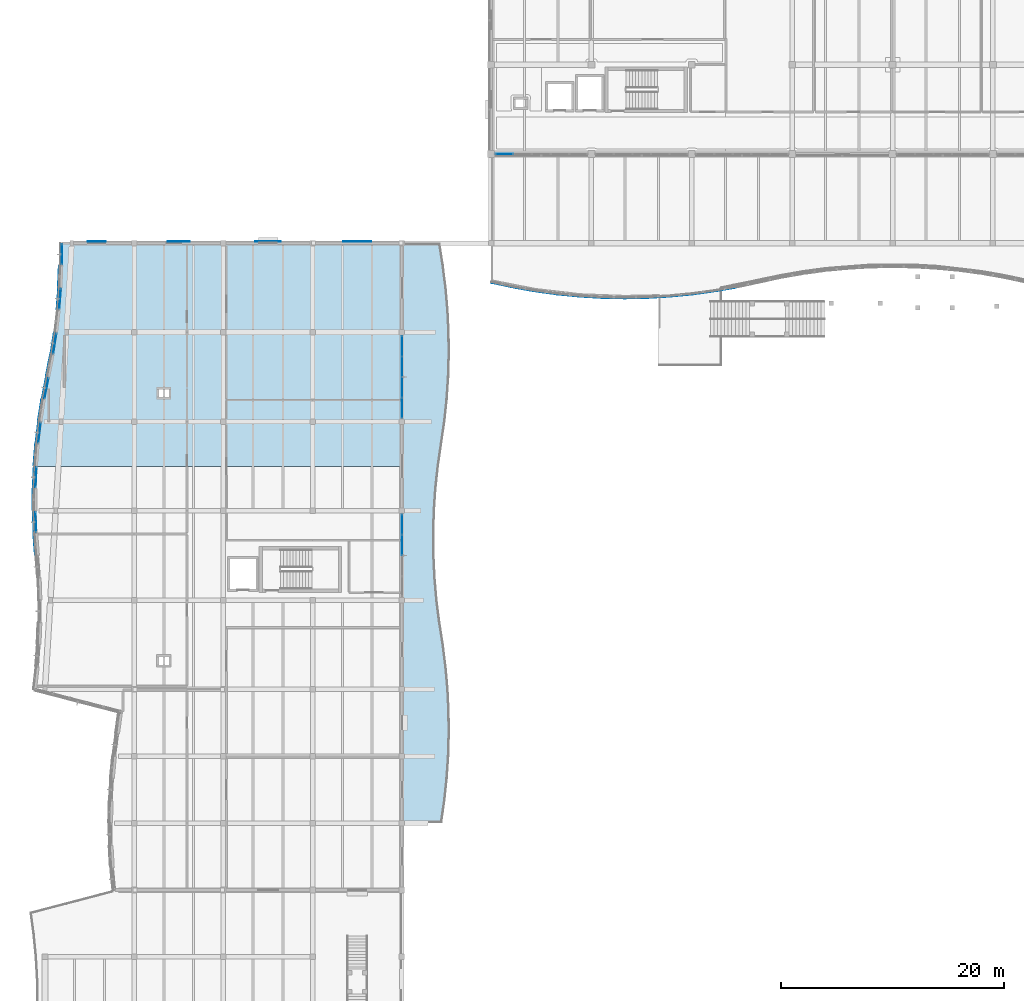
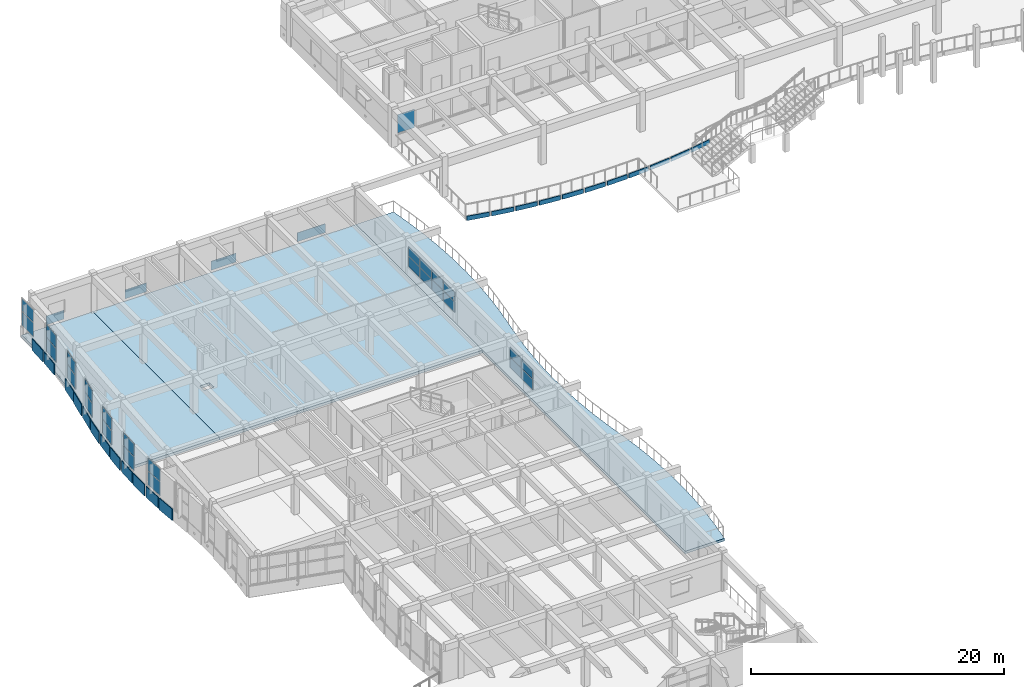
# One storey, part 47 of 89: 54 plates, 3 slabs, 10 elements without a shape of their own.
"""IFC4 building model written with IfcOpenShell, lengths in metres."""

from ifc_helpers import new_model, si_unit, direction, frame, origin, origin_2d, place, context, subcontext, project, spatial, polyline, rectangle, outline, extrude, material, layer, layer_set, type_object, element, aggregate, save


model = new_model("IFC4")

# Units and contexts
model_context = context("Model", 3, precision=1e-05, world=origin(), true_north=direction((0.0, 1.0)))
body_context = subcontext(model_context, "Body", "Model", "MODEL_VIEW")
ifc_project = project(units=[si_unit("LENGTHUNIT", "METRE"), si_unit("AREAUNIT", "SQUARE_METRE"), si_unit("VOLUMEUNIT", "CUBIC_METRE"), si_unit("PLANEANGLEUNIT", "RADIAN"), si_unit("MASSUNIT", "GRAM", prefix="KILO")], contexts=[model_context])

# Site, building, storey
site_placement = place(None, origin())
site = spatial("IfcSite", under=ifc_project, at=site_placement, CompositionType="ELEMENT")
building_placement = place(site_placement, origin())
building = spatial("IfcBuilding", under=site, at=building_placement, Name="Tonlespit Floodbar School", CompositionType="ELEMENT")
storey_placement = place(building_placement, frame((0.0, 0.0, 4.5)))
storey = spatial("IfcBuildingStorey", under=building, at=storey_placement, Name="L01", CompositionType="ELEMENT", Elevation=4.5)

# Curtain wall, plate
ifc_material_1 = material(Name="Anodised Aluminium", Category="aluminium")
ifc_layer_1 = layer(ifc_material_1, 0.159912109375)
ifc_layer_set_1 = layer_set([ifc_layer_1], Name="Anodised Aluminium")
curtain_wall_type_1 = type_object("IfcCurtainWallType", Name="CurtainWall_8300x1900", PredefinedType="NOTDEFINED", material=ifc_layer_set_1)
curtain_wall_1_placement = place(storey_placement, origin())
curtain_wall_1 = element("IfcCurtainWall", 1, at=curtain_wall_1_placement, inside=storey, type_object=curtain_wall_type_1, Name="L01 unitised curtain wall 0081", PredefinedType="NOTDEFINED")
ifc_material_2 = material(Name="Laminated Low-E Glass", Category="glass")
ifc_layer_2 = layer(ifc_material_2, 0.028076171875)
ifc_layer_set_2 = layer_set([ifc_layer_2], Name="Laminated Low-E Glass")
plate_type_1 = type_object("IfcPlateType", Name="CW_Panel_Glaz_28", PredefinedType="CURTAIN_PANEL", material=ifc_layer_set_2)
plate_1_placement = place(storey_placement, frame((45.188232421875, 104.0, 1.01513671875), z_axis=(0.0, 0.0, 1.0), x_axis=(-1.0, 0.0, 0.0)))
plate_1 = element("IfcPlate", 2, at=plate_1_placement, type_object=plate_type_1, Name="CW-06 panel 5.1", PredefinedType="CURTAIN_PANEL", context=body_context, shape_type="SweptSolid", body=[
    extrude(rectangle(XDim=1.56640625, YDim=0.028076171875, at=origin_2d()), origin(), (0.0, 0.0, 1.0), 1.764892578125),
])
aggregate(curtain_wall_1, [plate_1])

# Curtain wall, plates
ifc_layer_3 = layer(ifc_material_1, 0.159912109375)
ifc_layer_set_3 = layer_set([ifc_layer_3], Name="Anodised Aluminium")
curtain_wall_type_2 = type_object("IfcCurtainWallType", Name="CurtainWall_1950x2700", PredefinedType="NOTDEFINED", material=ifc_layer_set_3)
curtain_wall_2_placement = place(storey_placement, origin())
curtain_wall_2 = element("IfcCurtainWall", 3, at=curtain_wall_2_placement, inside=storey, type_object=curtain_wall_type_2, Name="L01 unitised curtain wall 0277", PredefinedType="NOTDEFINED")
plate_2_placement = place(storey_placement, frame((3.507080078125, 79.0, 1.01513671875), z_axis=(0.0, 0.0, 1.0), x_axis=(0.116967255837, 0.993135771716, 0.0)))
plate_2 = element("IfcPlate", 4, at=plate_2_placement, type_object=plate_type_1, Name="CW-04 panel 1.1", PredefinedType="CURTAIN_PANEL", context=body_context, shape_type="SweptSolid", body=[
    extrude(rectangle(XDim=1.803955078125, YDim=0.028076171875, at=origin_2d()), origin(), (0.0, 0.0, 1.0), 1.306396484375),
])
plate_3_placement = place(storey_placement, frame((3.507080078125, 79.0, 2.38671875), z_axis=(0.0, 0.0, 1.0), x_axis=(0.116967255837, 0.993135771716, 0.0)))
plate_3 = element("IfcPlate", 5, at=plate_3_placement, type_object=plate_type_1, Name="CW-04 panel 1.2", PredefinedType="CURTAIN_PANEL", context=body_context, shape_type="SweptSolid", body=[
    extrude(rectangle(XDim=1.803955078125, YDim=0.028076171875, at=origin_2d()), origin(), (0.0, 0.0, 1.0), 1.198486328125),
])
aggregate(curtain_wall_2, [plate_2, plate_3])

ifc_layer_4 = layer(ifc_material_1, 0.159912109375)
ifc_layer_set_4 = layer_set([ifc_layer_4], Name="Anodised Aluminium")
curtain_wall_type_3 = type_object("IfcCurtainWallType", Name="CurtainWall_1900x2700", PredefinedType="NOTDEFINED", material=ifc_layer_set_4)
curtain_wall_3_placement = place(storey_placement, origin())
curtain_wall_3 = element("IfcCurtainWall", 6, at=curtain_wall_3_placement, inside=storey, type_object=curtain_wall_type_3, Name="L01 unitised curtain wall 0281", PredefinedType="NOTDEFINED")
plate_4_placement = place(storey_placement, frame((5.5126953125, 95.0, 1.01513671875), z_axis=(0.0, 0.0, 1.0), x_axis=(0.00218749477, 0.99999760743, 0.0)))
plate_4 = element("IfcPlate", 7, at=plate_4_placement, type_object=plate_type_1, Name="CW-05 panel 1.1", PredefinedType="CURTAIN_PANEL", context=body_context, shape_type="SweptSolid", body=[
    extrude(rectangle(XDim=1.7900390625, YDim=0.028076171875, at=origin_2d()), origin(), (0.0, 0.0, 1.0), 1.306396484375),
])
plate_5_placement = place(storey_placement, frame((5.5126953125, 95.0, 2.38671875), z_axis=(0.0, 0.0, 1.0), x_axis=(0.00218749477, 0.99999760743, 0.0)))
plate_5 = element("IfcPlate", 8, at=plate_5_placement, type_object=plate_type_1, Name="CW-05 panel 1.2", PredefinedType="CURTAIN_PANEL", context=body_context, shape_type="SweptSolid", body=[
    extrude(rectangle(XDim=1.7900390625, YDim=0.028076171875, at=origin_2d()), origin(), (0.0, 0.0, 1.0), 1.198486328125),
])
aggregate(curtain_wall_3, [plate_4, plate_5])

curtain_wall_4_placement = place(storey_placement, origin())
curtain_wall_4 = element("IfcCurtainWall", 9, at=curtain_wall_4_placement, inside=storey, type_object=curtain_wall_type_2, Name="L01 unitised curtain wall 0278", PredefinedType="NOTDEFINED")
ifc_layer_5 = layer(ifc_material_2, 0.031982421875)
ifc_layer_set_5 = layer_set([ifc_layer_5], Name="Laminated Low-E Glass")
plate_type_2 = type_object("IfcPlateType", Name="CW_Panel_Glaz_32", PredefinedType="CURTAIN_PANEL", material=ifc_layer_set_5)
plate_6_placement = place(storey_placement, frame((4.134033203125, 83.0, 1.01513671875), z_axis=(0.0, 0.0, 1.0), x_axis=(0.192244726092, 0.981347015734, 0.0)))
plate_6 = element("IfcPlate", 10, at=plate_6_placement, type_object=plate_type_2, Name="CW-04 panel 1.1", PredefinedType="CURTAIN_PANEL", context=body_context, shape_type="SweptSolid", body=[
    extrude(rectangle(XDim=1.827880859375, YDim=0.031982421875, at=origin_2d()), origin(), (0.0, 0.0, 1.0), 1.306396484375),
])
plate_7_placement = place(storey_placement, frame((4.134033203125, 83.0, 2.38671875), z_axis=(0.0, 0.0, 1.0), x_axis=(0.192244726092, 0.981347015734, 0.0)))
plate_7 = element("IfcPlate", 11, at=plate_7_placement, type_object=plate_type_2, Name="CW-04 panel 1.2", PredefinedType="CURTAIN_PANEL", context=body_context, shape_type="SweptSolid", body=[
    extrude(rectangle(XDim=1.827880859375, YDim=0.031982421875, at=origin_2d()), origin(), (0.0, 0.0, 1.0), 1.198486328125),
])
aggregate(curtain_wall_4, [plate_6, plate_7])

ifc_layer_6 = layer(ifc_material_1, 0.159912109375)
ifc_layer_set_6 = layer_set([ifc_layer_6], Name="Anodised Aluminium")
curtain_wall_type_4 = type_object("IfcCurtainWallType", Name="CurtainWall_7400x2050", PredefinedType="NOTDEFINED", material=ifc_layer_set_6)
curtain_wall_5_placement = place(storey_placement, origin())
curtain_wall_5 = element("IfcCurtainWall", 12, at=curtain_wall_5_placement, inside=storey, type_object=curtain_wall_type_4, Name="L01 unitised curtain wall 0282", PredefinedType="NOTDEFINED")
plate_8_placement = place(storey_placement, frame((36.0, 86.766357421875, 1.01513671875), z_axis=(0.0, 0.0, 1.0), x_axis=(0.0, -1.0, 0.0)))
plate_8 = element("IfcPlate", 13, at=plate_8_placement, type_object=plate_type_2, Name="CW-36 panel 1.1", PredefinedType="CURTAIN_PANEL", context=body_context, shape_type="SweptSolid", body=[
    extrude(rectangle(XDim=1.757568359375, YDim=0.031982421875, at=origin_2d()), origin(), (0.0, 0.0, 1.0), 0.968505859375),
])
plate_9_placement = place(storey_placement, frame((36.0, 86.766357421875, 2.04833984375), z_axis=(0.0, 0.0, 1.0), x_axis=(0.0, -1.0, 0.0)))
plate_9 = element("IfcPlate", 14, at=plate_9_placement, type_object=plate_type_2, Name="CW-36 panel 1.2", PredefinedType="CURTAIN_PANEL", context=body_context, shape_type="SweptSolid", body=[
    extrude(rectangle(XDim=1.757568359375, YDim=0.031982421875, at=origin_2d()), origin(), (0.0, 0.0, 1.0), 0.886474609375),
])
plate_10_placement = place(storey_placement, frame((36.0, 84.927490234375, 1.01513671875), z_axis=(0.0, 0.0, 1.0), x_axis=(0.0, -1.0, 0.0)))
plate_10 = element("IfcPlate", 15, at=plate_10_placement, type_object=plate_type_2, Name="CW-36 panel 2.1", PredefinedType="CURTAIN_PANEL", context=body_context, shape_type="SweptSolid", body=[
    extrude(rectangle(XDim=1.7900390625, YDim=0.031982421875, at=origin_2d()), origin(), (0.0, 0.0, 1.0), 0.968505859375),
])
plate_11_placement = place(storey_placement, frame((36.0, 84.927490234375, 2.04833984375), z_axis=(0.0, 0.0, 1.0), x_axis=(0.0, -1.0, 0.0)))
plate_11 = element("IfcPlate", 16, at=plate_11_placement, type_object=plate_type_2, Name="CW-36 panel 2.2", PredefinedType="CURTAIN_PANEL", context=body_context, shape_type="SweptSolid", body=[
    extrude(rectangle(XDim=1.7900390625, YDim=0.031982421875, at=origin_2d()), origin(), (0.0, 0.0, 1.0), 0.886474609375),
])
plate_12_placement = place(storey_placement, frame((36.0, 83.072509765625, 1.01513671875), z_axis=(0.0, 0.0, 1.0), x_axis=(0.0, -1.0, 0.0)))
plate_12 = element("IfcPlate", 17, at=plate_12_placement, type_object=plate_type_2, Name="CW-36 panel 3.1", PredefinedType="CURTAIN_PANEL", context=body_context, shape_type="SweptSolid", body=[
    extrude(rectangle(XDim=1.7900390625, YDim=0.031982421875, at=origin_2d()), origin(), (0.0, 0.0, 1.0), 0.968505859375),
])
plate_13_placement = place(storey_placement, frame((36.0, 83.072509765625, 2.04833984375), z_axis=(0.0, 0.0, 1.0), x_axis=(0.0, -1.0, 0.0)))
plate_13 = element("IfcPlate", 18, at=plate_13_placement, type_object=plate_type_2, Name="CW-36 panel 3.2", PredefinedType="CURTAIN_PANEL", context=body_context, shape_type="SweptSolid", body=[
    extrude(rectangle(XDim=1.7900390625, YDim=0.031982421875, at=origin_2d()), origin(), (0.0, 0.0, 1.0), 0.886474609375),
])
plate_14_placement = place(storey_placement, frame((36.0, 81.233642578125, 1.01513671875), z_axis=(0.0, 0.0, 1.0), x_axis=(0.0, -1.0, 0.0)))
plate_14 = element("IfcPlate", 19, at=plate_14_placement, type_object=plate_type_2, Name="CW-36 panel 4.1", PredefinedType="CURTAIN_PANEL", context=body_context, shape_type="SweptSolid", body=[
    extrude(rectangle(XDim=1.757568359375, YDim=0.031982421875, at=origin_2d()), origin(), (0.0, 0.0, 1.0), 0.968505859375),
])
plate_15_placement = place(storey_placement, frame((36.0, 81.233642578125, 2.04833984375), z_axis=(0.0, 0.0, 1.0), x_axis=(0.0, -1.0, 0.0)))
plate_15 = element("IfcPlate", 20, at=plate_15_placement, type_object=plate_type_2, Name="CW-36 panel 4.2", PredefinedType="CURTAIN_PANEL", context=body_context, shape_type="SweptSolid", body=[
    extrude(rectangle(XDim=1.757568359375, YDim=0.031982421875, at=origin_2d()), origin(), (0.0, 0.0, 1.0), 0.886474609375),
])
aggregate(curtain_wall_5, [plate_8, plate_9, plate_10, plate_11, plate_12, plate_13, plate_14, plate_15])

curtain_wall_6_placement = place(storey_placement, origin())
curtain_wall_6 = element("IfcCurtainWall", 21, at=curtain_wall_6_placement, inside=storey, type_object=curtain_wall_type_3, Name="L01 unitised curtain wall 0275", PredefinedType="NOTDEFINED")
ifc_layer_7 = layer(ifc_material_2, 0.035888671875)
ifc_layer_set_7 = layer_set([ifc_layer_7], Name="Laminated Low-E Glass")
plate_type_3 = type_object("IfcPlateType", Name="CW_Panel_Glaz_36", PredefinedType="CURTAIN_PANEL", material=ifc_layer_set_7)
plate_16_placement = place(storey_placement, frame((3.181640625, 71.0, 1.01513671875), z_axis=(0.0, 0.0, 1.0), x_axis=(-0.036538085803, 0.999332261205, 0.0)))
plate_16 = element("IfcPlate", 22, at=plate_16_placement, type_object=plate_type_3, Name="CW-05 panel 1.1", PredefinedType="CURTAIN_PANEL", context=body_context, shape_type="SweptSolid", body=[
    extrude(rectangle(XDim=1.791259765625, YDim=0.035888671875, at=origin_2d()), origin(), (0.0, 0.0, 1.0), 1.306396484375),
])
plate_17_placement = place(storey_placement, frame((3.181640625, 71.0, 2.38671875), z_axis=(0.0, 0.0, 1.0), x_axis=(-0.036538085803, 0.999332261205, 0.0)))
plate_17 = element("IfcPlate", 23, at=plate_17_placement, type_object=plate_type_3, Name="CW-05 panel 1.2", PredefinedType="CURTAIN_PANEL", context=body_context, shape_type="SweptSolid", body=[
    extrude(rectangle(XDim=1.791259765625, YDim=0.035888671875, at=origin_2d()), origin(), (0.0, 0.0, 1.0), 1.198486328125),
])
aggregate(curtain_wall_6, [plate_16, plate_17])

curtain_wall_7_placement = place(storey_placement, origin())
curtain_wall_7 = element("IfcCurtainWall", 24, at=curtain_wall_7_placement, inside=storey, type_object=curtain_wall_type_2, Name="L01 unitised curtain wall 0279", PredefinedType="NOTDEFINED")
plate_18_placement = place(storey_placement, frame((4.87841796875, 87.0, 1.01513671875), z_axis=(0.0, 0.0, 1.0), x_axis=(0.154700059367, 0.987961482869, 0.0)))
plate_18 = element("IfcPlate", 25, at=plate_18_placement, type_object=plate_type_3, Name="CW-04 panel 1.1", PredefinedType="CURTAIN_PANEL", context=body_context, shape_type="SweptSolid", body=[
    extrude(rectangle(XDim=1.814453125, YDim=0.035888671875, at=origin_2d()), origin(), (0.0, 0.0, 1.0), 1.306396484375),
])
plate_19_placement = place(storey_placement, frame((4.87841796875, 87.0, 2.38671875), z_axis=(0.0, 0.0, 1.0), x_axis=(0.154700059367, 0.987961482869, 0.0)))
plate_19 = element("IfcPlate", 26, at=plate_19_placement, type_object=plate_type_3, Name="CW-04 panel 1.2", PredefinedType="CURTAIN_PANEL", context=body_context, shape_type="SweptSolid", body=[
    extrude(rectangle(XDim=1.814453125, YDim=0.035888671875, at=origin_2d()), origin(), (0.0, 0.0, 1.0), 1.198486328125),
])
aggregate(curtain_wall_7, [plate_18, plate_19])

curtain_wall_8_placement = place(storey_placement, origin())
curtain_wall_8 = element("IfcCurtainWall", 27, at=curtain_wall_8_placement, inside=storey, type_object=curtain_wall_type_4, Name="L01 unitised curtain wall 0283", PredefinedType="NOTDEFINED")
plate_20_placement = place(storey_placement, frame((36.0, 70.766357421875, 1.01513671875), z_axis=(0.0, 0.0, 1.0), x_axis=(0.0, -1.0, 0.0)))
plate_20 = element("IfcPlate", 28, at=plate_20_placement, type_object=plate_type_3, Name="CW-36 panel 1.1", PredefinedType="CURTAIN_PANEL", context=body_context, shape_type="SweptSolid", body=[
    extrude(rectangle(XDim=1.757568359375, YDim=0.035888671875, at=origin_2d()), origin(), (0.0, 0.0, 1.0), 0.968505859375),
])
plate_21_placement = place(storey_placement, frame((36.0, 70.766357421875, 2.04833984375), z_axis=(0.0, 0.0, 1.0), x_axis=(0.0, -1.0, 0.0)))
plate_21 = element("IfcPlate", 29, at=plate_21_placement, type_object=plate_type_3, Name="CW-36 panel 1.2", PredefinedType="CURTAIN_PANEL", context=body_context, shape_type="SweptSolid", body=[
    extrude(rectangle(XDim=1.757568359375, YDim=0.035888671875, at=origin_2d()), origin(), (0.0, 0.0, 1.0), 0.886474609375),
])
plate_22_placement = place(storey_placement, frame((36.0, 68.927490234375, 1.01513671875), z_axis=(0.0, 0.0, 1.0), x_axis=(0.0, -1.0, 0.0)))
plate_22 = element("IfcPlate", 30, at=plate_22_placement, type_object=plate_type_3, Name="CW-36 panel 2.1", PredefinedType="CURTAIN_PANEL", context=body_context, shape_type="SweptSolid", body=[
    extrude(rectangle(XDim=1.7900390625, YDim=0.035888671875, at=origin_2d()), origin(), (0.0, 0.0, 1.0), 0.968505859375),
])
plate_23_placement = place(storey_placement, frame((36.0, 68.927490234375, 2.04833984375), z_axis=(0.0, 0.0, 1.0), x_axis=(0.0, -1.0, 0.0)))
plate_23 = element("IfcPlate", 31, at=plate_23_placement, type_object=plate_type_3, Name="CW-36 panel 2.2", PredefinedType="CURTAIN_PANEL", context=body_context, shape_type="SweptSolid", body=[
    extrude(rectangle(XDim=1.7900390625, YDim=0.035888671875, at=origin_2d()), origin(), (0.0, 0.0, 1.0), 0.886474609375),
])
aggregate(curtain_wall_8, [plate_20, plate_21, plate_22, plate_23])

curtain_wall_9_placement = place(storey_placement, origin())
curtain_wall_9 = element("IfcCurtainWall", 32, at=curtain_wall_9_placement, inside=storey, type_object=curtain_wall_type_3, Name="L01 unitised curtain wall 0276", PredefinedType="NOTDEFINED")
ifc_layer_8 = layer(ifc_material_2, 0.0419921875)
ifc_layer_set_8 = layer_set([ifc_layer_8], Name="Laminated Low-E Glass")
plate_type_4 = type_object("IfcPlateType", Name="CW_Panel_Glaz_42", PredefinedType="CURTAIN_PANEL", material=ifc_layer_set_8)
plate_24_placement = place(storey_placement, frame((3.190185546875, 75.0, 1.01513671875), z_axis=(0.0, 0.0, 1.0), x_axis=(0.040747380387, 0.999169480615, 0.0)))
plate_24 = element("IfcPlate", 33, at=plate_24_placement, type_object=plate_type_4, Name="CW-05 panel 1.1", PredefinedType="CURTAIN_PANEL", context=body_context, shape_type="SweptSolid", body=[
    extrude(rectangle(XDim=1.79150390625, YDim=0.0419921875, at=origin_2d()), origin(), (0.0, 0.0, 1.0), 1.306396484375),
])
plate_25_placement = place(storey_placement, frame((3.190185546875, 75.0, 2.38671875), z_axis=(0.0, 0.0, 1.0), x_axis=(0.040747380387, 0.999169480615, 0.0)))
plate_25 = element("IfcPlate", 34, at=plate_25_placement, type_object=plate_type_4, Name="CW-05 panel 1.2", PredefinedType="CURTAIN_PANEL", context=body_context, shape_type="SweptSolid", body=[
    extrude(rectangle(XDim=1.79150390625, YDim=0.0419921875, at=origin_2d()), origin(), (0.0, 0.0, 1.0), 1.198486328125),
])
aggregate(curtain_wall_9, [plate_24, plate_25])

curtain_wall_10_placement = place(storey_placement, origin())
curtain_wall_10 = element("IfcCurtainWall", 35, at=curtain_wall_10_placement, inside=storey, type_object=curtain_wall_type_2, Name="L01 unitised curtain wall 0280", PredefinedType="NOTDEFINED")
plate_26_placement = place(storey_placement, frame((5.349853515625, 91.0, 1.01513671875), z_axis=(0.0, 0.0, 1.0), x_axis=(0.078963166836, 0.996877534245, 0.0)))
plate_26 = element("IfcPlate", 36, at=plate_26_placement, type_object=plate_type_4, Name="CW-04 panel 1.1", PredefinedType="CURTAIN_PANEL", context=body_context, shape_type="SweptSolid", body=[
    extrude(rectangle(XDim=1.796142578125, YDim=0.0419921875, at=origin_2d()), origin(), (0.0, 0.0, 1.0), 1.306396484375),
])
plate_27_placement = place(storey_placement, frame((5.349853515625, 91.0, 2.38671875), z_axis=(0.0, 0.0, 1.0), x_axis=(0.078963166836, 0.996877534245, 0.0)))
plate_27 = element("IfcPlate", 37, at=plate_27_placement, type_object=plate_type_4, Name="CW-04 panel 1.2", PredefinedType="CURTAIN_PANEL", context=body_context, shape_type="SweptSolid", body=[
    extrude(rectangle(XDim=1.796142578125, YDim=0.0419921875, at=origin_2d()), origin(), (0.0, 0.0, 1.0), 1.198486328125),
])
aggregate(curtain_wall_10, [plate_26, plate_27])

# Plates
ifc_layer_9 = layer(ifc_material_1, 0.0400390625)
ifc_layer_set_9 = layer_set([ifc_layer_9], Name="Anodised Aluminium")
plate_type_5 = type_object("IfcPlateType", Name="FacadeCassette_05", PredefinedType="SHEET", material=ifc_layer_set_9)
plate_28_placement = place(storey_placement, frame((8.632568359375, 96.137939453125, 0.094970703125), z_axis=(0.0, 0.0, 1.0), x_axis=(1.0, 0.0, 0.0)))
element("IfcPlate", 38, at=plate_28_placement, inside=storey, type_object=plate_type_5, Name="L01 folded rainscreen cassette 005", PredefinedType="SHEET", context=body_context, shape_type="SweptSolid", body=[
    extrude(rectangle(XDim=1.60009765625, YDim=0.0400390625, at=origin_2d()), origin(), (0.0, 0.0, 1.0), 0.85009765625),
])
ifc_material_3 = material(Name="Terracotta Anodised Aluminium", Category="masonry")
ifc_layer_10 = layer(ifc_material_3, 0.0400390625)
ifc_layer_set_10 = layer_set([ifc_layer_10], Name="Terracotta Anodised Aluminium")
plate_type_6 = type_object("IfcPlateType", Name="FacadeCassette_06", PredefinedType="SHEET", material=ifc_layer_set_10)
plate_29_placement = place(storey_placement, frame((16.0, 96.137939453125, 0.094970703125), z_axis=(0.0, 0.0, 1.0), x_axis=(1.0, 0.0, 0.0)))
element("IfcPlate", 39, at=plate_29_placement, inside=storey, type_object=plate_type_6, Name="L01 folded rainscreen cassette 006", PredefinedType="SHEET", context=body_context, shape_type="SweptSolid", body=[
    extrude(rectangle(XDim=1.949951171875, YDim=0.0400390625, at=origin_2d()), origin(), (0.0, 0.0, 1.0), 0.85009765625),
])
ifc_layer_11 = layer(ifc_material_1, 0.054931640625)
ifc_layer_set_11 = layer_set([ifc_layer_11], Name="Anodised Aluminium")
plate_type_7 = type_object("IfcPlateType", Name="FacadeCassette_07", PredefinedType="SHEET", material=ifc_layer_set_11)
plate_30_placement = place(storey_placement, frame((24.0, 96.1455078125, 0.094970703125), z_axis=(0.0, 0.0, 1.0), x_axis=(1.0, 0.0, 0.0)))
element("IfcPlate", 40, at=plate_30_placement, inside=storey, type_object=plate_type_7, Name="L01 folded rainscreen cassette 007", PredefinedType="SHEET", context=body_context, shape_type="SweptSolid", body=[
    extrude(rectangle(XDim=2.25, YDim=0.054931640625, at=origin_2d()), origin(), (0.0, 0.0, 1.0), 0.85009765625),
])
ifc_layer_12 = layer(ifc_material_3, 0.054931640625)
ifc_layer_set_12 = layer_set([ifc_layer_12], Name="Terracotta Anodised Aluminium")
plate_type_8 = type_object("IfcPlateType", Name="FacadeCassette_08", PredefinedType="SHEET", material=ifc_layer_set_12)
plate_31_placement = place(storey_placement, frame((32.0, 96.1455078125, 0.094970703125), z_axis=(0.0, 0.0, 1.0), x_axis=(1.0, 0.0, 0.0)))
element("IfcPlate", 41, at=plate_31_placement, inside=storey, type_object=plate_type_8, Name="L01 folded rainscreen cassette 008", PredefinedType="SHEET", context=body_context, shape_type="SweptSolid", body=[
    extrude(rectangle(XDim=2.550048828125, YDim=0.054931640625, at=origin_2d()), origin(), (0.0, 0.0, 1.0), 0.85009765625),
])
ifc_material_4 = material(Name="White Architectural Aluminium", Category="aluminium")
ifc_layer_13 = layer(ifc_material_4, 0.06494140625)
ifc_layer_set_13 = layer_set([ifc_layer_13], Name="White Architectural Aluminium")
plate_type_9 = type_object("IfcPlateType", Name="FacadeRibbon_White_65", PredefinedType="SHEET", material=ifc_layer_set_13)
plate_32_placement = place(storey_placement, frame((45.0, 92.261474609375, -0.300048828125), z_axis=(0.0, 0.0, 1.0), x_axis=(0.977356843161, -0.21159773422, 0.0)))
element("IfcPlate", 42, at=plate_32_placement, inside=storey, type_object=plate_type_9, Name="L01 flowing white street spandrel ribbon 0095", PredefinedType="SHEET", context=body_context, shape_type="SweptSolid", body=[
    extrude(rectangle(XDim=1.88623046875, YDim=0.06494140625, at=origin_2d()), origin(), (0.0, 0.0, 1.0), 0.419921875),
])
plate_33_placement = place(storey_placement, frame((47.0, 91.869384765625, -0.300048828125), z_axis=(0.0, 0.0, 1.0), x_axis=(0.984904884962, -0.17309641122, 0.0)))
element("IfcPlate", 43, at=plate_33_placement, inside=storey, type_object=plate_type_9, Name="L01 flowing white street spandrel ribbon 0096", PredefinedType="SHEET", context=body_context, shape_type="SweptSolid", body=[
    extrude(rectangle(XDim=1.87060546875, YDim=0.06494140625, at=origin_2d()), origin(), (0.0, 0.0, 1.0), 0.419921875),
])
plate_34_placement = place(storey_placement, frame((49.0, 91.5576171875, -0.300048828125), z_axis=(0.0, 0.0, 1.0), x_axis=(0.990898113281, -0.13461400037, 0.0)))
element("IfcPlate", 44, at=plate_34_placement, inside=storey, type_object=plate_type_9, Name="L01 flowing white street spandrel ribbon 0097", PredefinedType="SHEET", context=body_context, shape_type="SweptSolid", body=[
    extrude(rectangle(XDim=1.8583984375, YDim=0.06494140625, at=origin_2d()), origin(), (0.0, 0.0, 1.0), 0.419921875),
])
plate_35_placement = place(storey_placement, frame((51.0, 91.3251953125, -0.300048828125), z_axis=(0.0, 0.0, 1.0), x_axis=(0.995361841764, -0.096201891669, 0.0)))
element("IfcPlate", 45, at=plate_35_placement, inside=storey, type_object=plate_type_9, Name="L01 flowing white street spandrel ribbon 0098", PredefinedType="SHEET", context=body_context, shape_type="SweptSolid", body=[
    extrude(rectangle(XDim=1.849365234375, YDim=0.06494140625, at=origin_2d()), origin(), (0.0, 0.0, 1.0), 0.419921875),
])
plate_36_placement = place(storey_placement, frame((53.0, 91.170654296875, -0.300048828125), z_axis=(0.0, 0.0, 1.0), x_axis=(0.998333769428, -0.057703421212, 0.0)))
element("IfcPlate", 46, at=plate_36_placement, inside=storey, type_object=plate_type_9, Name="L01 flowing white street spandrel ribbon 0099", PredefinedType="SHEET", context=body_context, shape_type="SweptSolid", body=[
    extrude(rectangle(XDim=1.84326171875, YDim=0.06494140625, at=origin_2d()), origin(), (0.0, 0.0, 1.0), 0.419921875),
])
for number, where, z_axis, x_axis, name in (
    (47, (55.0, 91.093505859375, -0.300048828125), (0.0, 0.0, 1.0), (0.999814772764, -0.01924630259, 0.0), "L01 flowing white street spandrel ribbon 0100"),
    (48, (57.0, 91.093505859375, -0.300048828125), (0.0, 0.0, 1.0), (0.999814772764, 0.01924630259, 0.0), "L01 flowing white street spandrel ribbon 0101"),
):
    element("IfcPlate", number, at=place(storey_placement, frame(where, z_axis=z_axis, x_axis=x_axis)), inside=storey, type_object=plate_type_9, Name=name, PredefinedType="SHEET", context=body_context, shape_type="SweptSolid", body=[
        extrude(rectangle(XDim=1.84033203125, YDim=0.06494140625, at=origin_2d()), origin(), (0.0, 0.0, 1.0), 0.419921875),
    ])
plate_37_placement = place(storey_placement, frame((59.0, 91.170654296875, -0.300048828125), z_axis=(0.0, 0.0, 1.0), x_axis=(0.998333769428, 0.057703421212, 0.0)))
element("IfcPlate", 49, at=plate_37_placement, inside=storey, type_object=plate_type_9, Name="L01 flowing white street spandrel ribbon 0102", PredefinedType="SHEET", context=body_context, shape_type="SweptSolid", body=[
    extrude(rectangle(XDim=1.84326171875, YDim=0.06494140625, at=origin_2d()), origin(), (0.0, 0.0, 1.0), 0.419921875),
])
plate_38_placement = place(storey_placement, frame((61.0, 91.3251953125, -0.300048828125), z_axis=(0.0, 0.0, 1.0), x_axis=(0.995361841764, 0.096201891669, 0.0)))
element("IfcPlate", 50, at=plate_38_placement, inside=storey, type_object=plate_type_9, Name="L01 flowing white street spandrel ribbon 0103", PredefinedType="SHEET", context=body_context, shape_type="SweptSolid", body=[
    extrude(rectangle(XDim=1.849365234375, YDim=0.06494140625, at=origin_2d()), origin(), (0.0, 0.0, 1.0), 0.419921875),
])
plate_39_placement = place(storey_placement, frame((63.0, 91.5576171875, -0.300048828125), z_axis=(0.0, 0.0, 1.0), x_axis=(0.990898113281, 0.13461400037, 0.0)))
element("IfcPlate", 51, at=plate_39_placement, inside=storey, type_object=plate_type_9, Name="L01 flowing white street spandrel ribbon 0104", PredefinedType="SHEET", context=body_context, shape_type="SweptSolid", body=[
    extrude(rectangle(XDim=1.8583984375, YDim=0.06494140625, at=origin_2d()), origin(), (0.0, 0.0, 1.0), 0.419921875),
])
plate_40_placement = place(storey_placement, frame((65.0, 91.869384765625, -0.300048828125), z_axis=(0.0, 0.0, 1.0), x_axis=(0.984904884962, 0.17309641122, 0.0)))
element("IfcPlate", 52, at=plate_40_placement, inside=storey, type_object=plate_type_9, Name="L01 flowing white street spandrel ribbon 0105", PredefinedType="SHEET", context=body_context, shape_type="SweptSolid", body=[
    extrude(rectangle(XDim=1.87060546875, YDim=0.06494140625, at=origin_2d()), origin(), (0.0, 0.0, 1.0), 0.419921875),
])
plate_41_placement = place(storey_placement, frame((3.082763671875, 68.98388671875, -0.1201171875), z_axis=(0.0, 0.0, 1.0), x_axis=(-0.075681836348, 0.997132017161, 0.0)))
element("IfcPlate", 53, at=plate_41_placement, inside=storey, type_object=plate_type_9, Name="L01 flowing white street spandrel ribbon 0529", PredefinedType="SHEET", context=body_context, shape_type="SweptSolid", body=[
    extrude(rectangle(XDim=1.845703125, YDim=0.06494140625, at=origin_2d()), origin(), (0.0, 0.0, 1.0), 1.1201171875),
])
plate_42_placement = place(storey_placement, frame((2.999755859375, 70.993408203125, -0.1201171875), z_axis=(0.0, 0.0, 1.0), x_axis=(-0.036575686496, 0.999330885722, 0.0)))
element("IfcPlate", 54, at=plate_42_placement, inside=storey, type_object=plate_type_9, Name="L01 flowing white street spandrel ribbon 0530", PredefinedType="SHEET", context=body_context, shape_type="SweptSolid", body=[
    extrude(rectangle(XDim=1.84130859375, YDim=0.06494140625, at=origin_2d()), origin(), (0.0, 0.0, 1.0), 1.070068359375),
])
plate_43_placement = place(storey_placement, frame((2.935302734375, 73.00048828125, -0.1201171875), z_axis=(0.0, 0.0, 1.0), x_axis=(0.00220085841, 0.999997578108, 0.0)))
element("IfcPlate", 55, at=plate_43_placement, inside=storey, type_object=plate_type_9, Name="L01 flowing white street spandrel ribbon 0531", PredefinedType="SHEET", context=body_context, shape_type="SweptSolid", body=[
    extrude(rectangle(XDim=1.840087890625, YDim=0.06494140625, at=origin_2d()), origin(), (0.0, 0.0, 1.0), 1.1201171875),
])
plate_44_placement = place(storey_placement, frame((3.00830078125, 75.00732421875, -0.1201171875), z_axis=(0.0, 0.0, 1.0), x_axis=(0.040715999914, 0.999170759856, 0.0)))
element("IfcPlate", 56, at=plate_44_placement, inside=storey, type_object=plate_type_9, Name="L01 flowing white street spandrel ribbon 0532", PredefinedType="SHEET", context=body_context, shape_type="SweptSolid", body=[
    extrude(rectangle(XDim=1.841796875, YDim=0.06494140625, at=origin_2d()), origin(), (0.0, 0.0, 1.0), 1.070068359375),
])
plate_45_placement = place(storey_placement, frame((3.098876953125, 77.0166015625, -0.1201171875), z_axis=(0.0, 0.0, 1.0), x_axis=(0.079001948152, 0.996874461599, 0.0)))
element("IfcPlate", 57, at=plate_45_placement, inside=storey, type_object=plate_type_9, Name="L01 flowing white street spandrel ribbon 0533", PredefinedType="SHEET", context=body_context, shape_type="SweptSolid", body=[
    extrude(rectangle(XDim=1.84619140625, YDim=0.06494140625, at=origin_2d()), origin(), (0.0, 0.0, 1.0), 1.1201171875),
])
plate_46_placement = place(storey_placement, frame((3.326416015625, 79.021240234375, -0.1201171875), z_axis=(0.0, 0.0, 1.0), x_axis=(0.116991411823, 0.99313292643, 0.0)))
element("IfcPlate", 58, at=plate_46_placement, inside=storey, type_object=plate_type_9, Name="L01 flowing white street spandrel ribbon 0534", PredefinedType="SHEET", context=body_context, shape_type="SweptSolid", body=[
    extrude(rectangle(XDim=1.853759765625, YDim=0.06494140625, at=origin_2d()), origin(), (0.0, 0.0, 1.0), 1.070068359375),
])
plate_47_placement = place(storey_placement, frame((3.572265625, 81.03271484375, -0.1201171875), z_axis=(0.0, 0.0, 1.0), x_axis=(0.154713834929, 0.987959325722, 0.0)))
element("IfcPlate", 59, at=plate_47_placement, inside=storey, type_object=plate_type_9, Name="L01 flowing white street spandrel ribbon 0535", PredefinedType="SHEET", context=body_context, shape_type="SweptSolid", body=[
    extrude(rectangle(XDim=1.864501953125, YDim=0.06494140625, at=origin_2d()), origin(), (0.0, 0.0, 1.0), 1.1201171875),
])
plate_48_placement = place(storey_placement, frame((3.95556640625, 83.034912109375, -0.1201171875), z_axis=(0.0, 0.0, 1.0), x_axis=(0.192246217643, 0.98134672354, 0.0)))
element("IfcPlate", 60, at=plate_48_placement, inside=storey, type_object=plate_type_9, Name="L01 flowing white street spandrel ribbon 0536", PredefinedType="SHEET", context=body_context, shape_type="SweptSolid", body=[
    extrude(rectangle(XDim=1.8779296875, YDim=0.06494140625, at=origin_2d()), origin(), (0.0, 0.0, 1.0), 1.070068359375),
])
plate_49_placement = place(storey_placement, frame((4.31787109375, 85.040771484375, -0.1201171875), z_axis=(0.0, 0.0, 1.0), x_axis=(0.192246217643, 0.98134672354, 0.0)))
element("IfcPlate", 61, at=plate_49_placement, inside=storey, type_object=plate_type_9, Name="L01 flowing white street spandrel ribbon 0537", PredefinedType="SHEET", context=body_context, shape_type="SweptSolid", body=[
    extrude(rectangle(XDim=1.8779296875, YDim=0.06494140625, at=origin_2d()), origin(), (0.0, 0.0, 1.0), 1.1201171875),
])
plate_50_placement = place(storey_placement, frame((4.698486328125, 87.0283203125, -0.1201171875), z_axis=(0.0, 0.0, 1.0), x_axis=(0.154713834929, 0.987959325722, 0.0)))
element("IfcPlate", 62, at=plate_50_placement, inside=storey, type_object=plate_type_9, Name="L01 flowing white street spandrel ribbon 0538", PredefinedType="SHEET", context=body_context, shape_type="SweptSolid", body=[
    extrude(rectangle(XDim=1.864501953125, YDim=0.06494140625, at=origin_2d()), origin(), (0.0, 0.0, 1.0), 1.070068359375),
])
plate_51_placement = place(storey_placement, frame((5.16845703125, 91.014404296875, -0.1201171875), z_axis=(0.0, 0.0, 1.0), x_axis=(0.079001948152, 0.996874461599, 0.0)))
element("IfcPlate", 63, at=plate_51_placement, inside=storey, type_object=plate_type_9, Name="L01 flowing white street spandrel ribbon 0540", PredefinedType="SHEET", context=body_context, shape_type="SweptSolid", body=[
    extrude(rectangle(XDim=1.84619140625, YDim=0.06494140625, at=origin_2d()), origin(), (0.0, 0.0, 1.0), 1.070068359375),
])
plate_52_placement = place(storey_placement, frame((5.258056640625, 93.008544921875, -0.1201171875), z_axis=(0.0, 0.0, 1.0), x_axis=(0.040715999914, 0.999170759856, 0.0)))
element("IfcPlate", 64, at=plate_52_placement, inside=storey, type_object=plate_type_9, Name="L01 flowing white street spandrel ribbon 0541", PredefinedType="SHEET", context=body_context, shape_type="SweptSolid", body=[
    extrude(rectangle(XDim=1.841796875, YDim=0.06494140625, at=origin_2d()), origin(), (0.0, 0.0, 1.0), 1.1201171875),
])

# Slabs
ifc_material_5 = material(Name="Concrete C40/50", Category="concrete")
ifc_layer_14 = layer(ifc_material_5, 0.260009765625)
ifc_layer_set_14 = layer_set([ifc_layer_14], Name="Concrete C40/50")
slab_type_1 = type_object("IfcSlabType", Name="Slab_Podium_RC_250", PredefinedType="FLOOR", material=ifc_layer_set_14)
slab_1_placement = place(storey_placement, frame((0.0, 0.0, -0.260009765625)))
element("IfcSlab", 65, at=slab_1_placement, inside=storey, type_object=slab_type_1, Name="L01 V2 L01 north STEAM lab slab", PredefinedType="FLOOR", context=body_context, shape_type="SweptSolid", body=[
    extrude(outline(polyline([(12.0, 76.0), (36.0, 76.0), (36.0, 96.0), (12.0, 96.0), (12.0, 76.0)]), holes=[polyline([(14.199951171875, 82.199951171875), (15.10009765625, 82.199951171875), (15.10009765625, 82.89990234375), (14.199951171875, 82.89990234375), (14.199951171875, 82.199951171875)])]), origin(), (0.0, 0.0, 1.0), 0.260009765625),
])
slab_2_placement = place(storey_placement, frame((0.0, 0.0, -0.260009765625)))
element("IfcSlab", 66, at=slab_2_placement, inside=storey, type_object=slab_type_1, Name="L01 V2 L01 splayed studio slab 76", PredefinedType="FLOOR", context=body_context, shape_type="SweptSolid", body=[
    extrude(outline(polyline([(12.0, 76.0), (12.0, 96.0), (5.514892578125, 96.0), (5.510498046875, 94.0), (5.42919921875, 92.0), (5.2705078125, 90.0), (5.034912109375, 88.0), (4.7216796875, 86.0), (4.330078125, 84.0), (3.938232421875, 82.0), (3.625, 80.0), (3.389404296875, 78.0), (3.23095703125, 76.0), (12.0, 76.0)])), origin(), (0.0, 0.0, 1.0), 0.260009765625),
])
ifc_material_6 = material(Name="CLT C24", Category="wood")
ifc_layer_15 = layer(ifc_material_6, 0.243896484375)
ifc_layer_set_15 = layer_set([ifc_layer_15], Name="CLT C24")
slab_type_2 = type_object("IfcSlabType", Name="Slab_Terrace_CLT_244", PredefinedType="FLOOR", material=ifc_layer_set_15)
slab_3_placement = place(storey_placement, frame((0.0, 0.0, -0.243896484375)))
element("IfcSlab", 67, at=slab_3_placement, inside=storey, type_object=slab_type_2, Name="L01 V2 L01 curved courtyard gallery", PredefinedType="FLOOR", context=body_context, shape_type="SweptSolid", body=[
    extrude(outline(polyline([(36.0, 44.0), (39.60009765625, 44.0), (39.8916015625, 46.0), (40.104248046875, 48.0), (40.2392578125, 50.0), (40.297119140625, 52.0), (40.27783203125, 54.0), (40.181396484375, 56.0), (40.0078125, 58.0), (39.755615234375, 60.0), (39.4443359375, 62.0), (39.1923828125, 64.0), (39.0185546875, 66.0), (38.922119140625, 68.0), (38.903076171875, 70.0), (38.960693359375, 72.0), (39.095703125, 74.0), (39.308349609375, 76.0), (39.60009765625, 78.0), (39.8916015625, 80.0), (40.104248046875, 82.0), (40.2392578125, 84.0), (40.297119140625, 86.0), (40.27783203125, 88.0), (40.181396484375, 90.0), (40.0078125, 92.0), (39.755615234375, 94.0), (39.4443359375, 96.0), (36.0, 96.0), (36.0, 44.0)])), origin(), (0.0, 0.0, 1.0), 0.243896484375),
])

save(model, "model.ifc")
